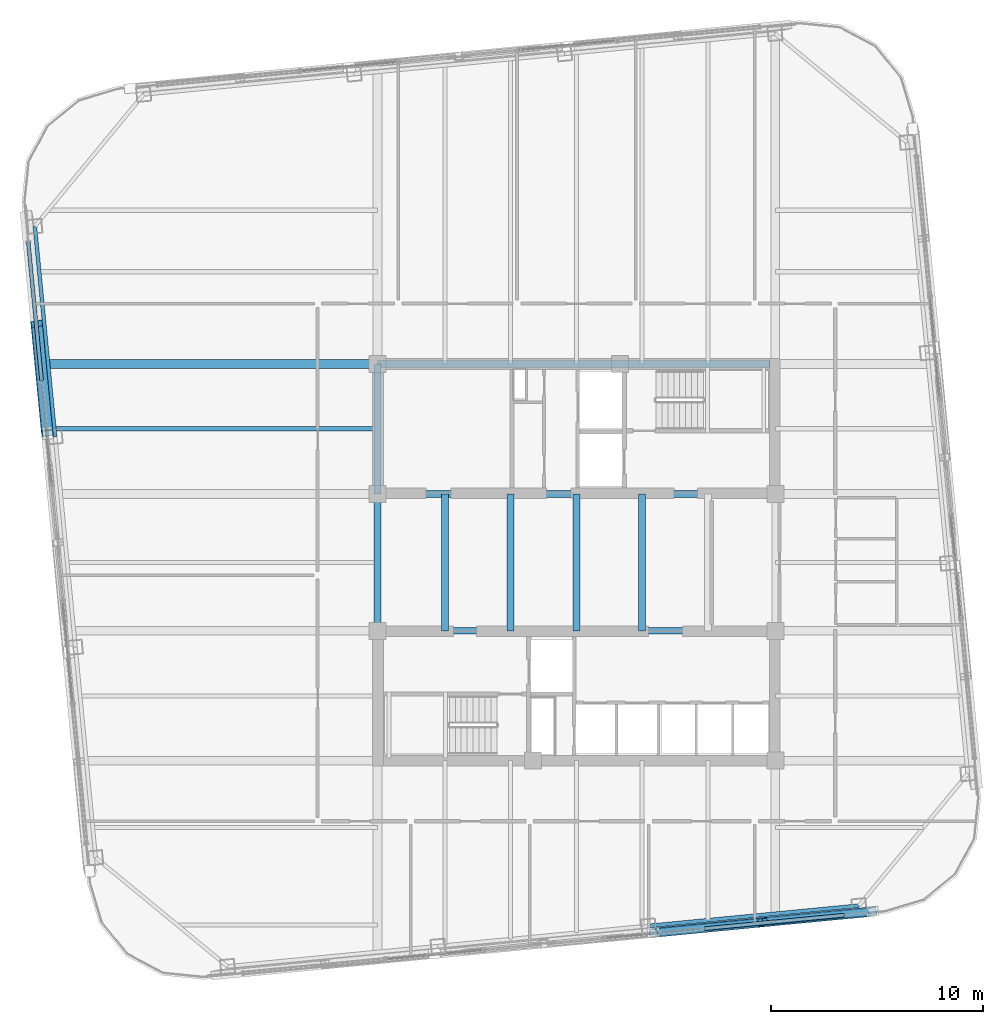
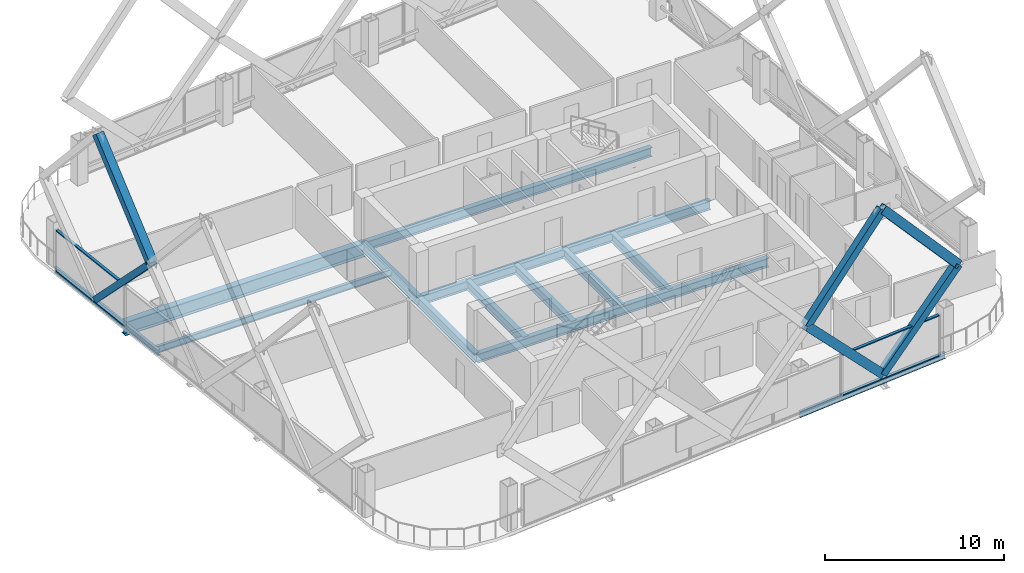
# One storey, part 12 of 34: 13 beams, 10 members, 2 elements without a shape of their own.
"""IFC4 building model written with IfcOpenShell, lengths in metres."""

import ifcopenshell
import ifcopenshell.guid

model = None  # the IFC model being written
_history = None  # IfcOwnerHistory: only IFC2X3 demands one
_inside = {}  # id of a spatial element -> (the spatial element, [elements in it])
_under = {}  # id of a project, library or spatial element -> (it, [spatial elements below it])
_declared = {}  # id of a project -> (the project, [libraries it declares])
_typed = {}  # id of a type object -> (the type object, [elements of that type])
_made_of = {}  # id of a material, layer set ... -> (it, [elements and type objects made of it])


def new_model(schema):
    """Start an empty IFC model of exactly this schema.

    Asked for "IFC4X3", IfcOpenShell would pick the latest addendum, in which some entities
    have other attributes; the version numbers below select the first issue.
    IFC2X3 requires an IfcOwnerHistory on every rooted entity: one is made here for all.
    """
    global model, _history
    if schema == "IFC4X3":
        model = ifcopenshell.file(schema_version=(4, 3, 0, 0))
    else:
        model = ifcopenshell.file(schema=schema)
    _inside.clear()
    _under.clear()
    _declared.clear()
    _typed.clear()
    _made_of.clear()
    _history = None
    if model.schema == "IFC2X3":
        org = make("IfcOrganization", Name="unknown")
        user = make(
            "IfcPersonAndOrganization",
            ThePerson=make("IfcPerson", FamilyName="unknown"),
            TheOrganization=org,
        )
        app = make(
            "IfcApplication",
            ApplicationDeveloper=org,
            Version="unknown",
            ApplicationFullName="unknown",
            ApplicationIdentifier="unknown",
        )
        _history = make(
            "IfcOwnerHistory",
            OwningUser=user,
            OwningApplication=app,
            ChangeAction="ADDED",
            CreationDate=0,
        )
    return model


def make(cls, **values):
    """One entity of the class cls with the attributes given. An attribute that is None is left unset."""
    return model.create_entity(
        cls, **{name: value for name, value in values.items() if value is not None}
    )


def rooted(cls, **values):
    """An entity with a GlobalId (a new one), such as an element, a storey or a relation."""
    return make(cls, GlobalId=ifcopenshell.guid.new(), OwnerHistory=_history, **values)


def si_unit(unit_type, name, prefix=None):
    """IfcSIUnit, for example si_unit("LENGTHUNIT", "METRE", prefix="MILLI")."""
    return make("IfcSIUnit", UnitType=unit_type, Prefix=prefix, Name=name)


def assignment(units):
    """IfcUnitAssignment: the units of a project."""
    return None if units is None else make("IfcUnitAssignment", Units=units)


def point(xyz):
    """IfcCartesianPoint."""
    return None if xyz is None else make("IfcCartesianPoint", Coordinates=xyz)


def direction(xyz):
    """IfcDirection."""
    return None if xyz is None else make("IfcDirection", DirectionRatios=xyz)


def frame(location, z_axis=None, x_axis=None):
    """IfcAxis2Placement3D, a coordinate frame: its origin and axes. An axis left out is left unset."""
    return make(
        "IfcAxis2Placement3D",
        Location=point(location),
        Axis=direction(z_axis),
        RefDirection=direction(x_axis),
    )


def frame_2d(location, x_axis=None):
    """IfcAxis2Placement2D, a coordinate frame in the plane: its origin and x axis."""
    return make(
        "IfcAxis2Placement2D", Location=point(location), RefDirection=direction(x_axis)
    )


def origin():
    """The frame at (0, 0, 0) with its axes left unset."""
    return frame((0.0, 0.0, 0.0))


def origin_2d():
    """The frame at (0, 0) in the plane with its x axis left unset."""
    return frame_2d((0.0, 0.0))


def place(relative_to, where):
    """IfcLocalPlacement: puts the frame where relative to a parent placement (None: the world)."""
    return make(
        "IfcLocalPlacement", PlacementRelTo=relative_to, RelativePlacement=where
    )


def context(
    kind, dimensions, precision=None, world=None, true_north=None, identifier=None
):
    """IfcGeometricRepresentationContext, for example the 3D "Model" context."""
    return make(
        "IfcGeometricRepresentationContext",
        ContextIdentifier=identifier,
        ContextType=kind,
        CoordinateSpaceDimension=dimensions,
        Precision=precision,
        WorldCoordinateSystem=world,
        TrueNorth=true_north,
    )


def subcontext(parent, identifier, kind, view, scale=None):
    """IfcGeometricRepresentationSubContext, for example "Body" below "Model"."""
    return make(
        "IfcGeometricRepresentationSubContext",
        ContextIdentifier=identifier,
        ContextType=kind,
        ParentContext=parent,
        TargetScale=scale,
        TargetView=view,
    )


def project(units=None, contexts=None):
    """IfcProject with its units and contexts."""
    return rooted(
        "IfcProject",
        Name="project",
        RepresentationContexts=contexts,
        UnitsInContext=assignment(units),
    )


def spatial(cls, under=None, at=None, **own):
    """A site, building, storey or space (cls), placed at a placement, below another one or the project."""
    s = rooted(cls, ObjectPlacement=at, **own)
    if under is not None:
        _under.setdefault(under.id(), (under, []))[1].append(s)
    return s


def profile(cls, at=None, kind="AREA", **sizes):
    """A parametric profile (cls). Its sizes go by their IFC names, for example OverallWidth=200.0."""
    return make(cls, ProfileType=kind, Position=at, **sizes)


def hollow_rectangle(**sizes):
    """IfcRectangleHollowProfileDef."""
    return profile("IfcRectangleHollowProfileDef", **sizes)


def i_section(**sizes):
    """IfcIShapeProfileDef."""
    return profile("IfcIShapeProfileDef", **sizes)


def extrude(swept, where, along, depth):
    """IfcExtrudedAreaSolid: the profile swept, set in the frame where, extruded along a direction by depth."""
    return make(
        "IfcExtrudedAreaSolid",
        SweptArea=swept,
        Position=where,
        ExtrudedDirection=direction(along),
        Depth=depth,
    )


def shape(context_of_items, identifier, shape_type, items):
    """IfcShapeRepresentation: the items that make up one representation, for example the "Body"."""
    return make(
        "IfcShapeRepresentation",
        ContextOfItems=context_of_items,
        RepresentationIdentifier=identifier,
        RepresentationType=shape_type,
        Items=items,
    )


def material(Name=None, Category=None):
    """IfcMaterial."""
    return make("IfcMaterial", Name=Name, Category=Category)


def layer(
    of_material, thickness, ventilated=None, Name=None, Category=None, Priority=None
):
    """IfcMaterialLayer: one layer of a wall or slab, of a material (None: an air gap)."""
    return make(
        "IfcMaterialLayer",
        Material=of_material,
        LayerThickness=thickness,
        IsVentilated=ventilated,
        Name=Name,
        Category=Category,
        Priority=Priority,
    )


def layer_set(layers, Name=None):
    """IfcMaterialLayerSet."""
    return make("IfcMaterialLayerSet", MaterialLayers=layers, LayerSetName=Name)


def material_profile(
    of_material, cross_section, Name=None, Category=None, Priority=None
):
    """IfcMaterialProfile: a cross section and its material."""
    return make(
        "IfcMaterialProfile",
        Name=Name,
        Material=of_material,
        Profile=cross_section,
        Priority=Priority,
        Category=Category,
    )


def profile_set(profiles, Name=None, composite=None):
    """IfcMaterialProfileSet."""
    return make(
        "IfcMaterialProfileSet",
        Name=Name,
        MaterialProfiles=profiles,
        CompositeProfile=composite,
    )


def made_of(thing, what):
    """Note that an element or type object is made of a material, layer set ...; save() writes the relation."""
    if what is not None:
        _made_of.setdefault(what.id(), (what, []))[1].append(thing)
    return thing


def type_object(cls, material=None, **own):
    """A type object (cls), such as IfcWallType, which elements share."""
    return made_of(rooted(cls, **own), material)


def element(
    cls,
    number,
    at=None,
    inside=None,
    cuts=None,
    type_object=None,
    material=None,
    context=None,
    identifier="Body",
    shape_type=None,
    held_by="IfcProductDefinitionShape",
    body=None,
    shapes=None,
    **own,
):
    """One element of the class cls, such as IfcWall. Its Tag is "e" and its number.

    at: its placement. inside: the storey or other place that contains it. cuts: it is an
    opening in that element (IfcRelVoidsElement). A single representation is given by context,
    identifier, shape_type and body (its items); several are given by shapes. held_by: the class
    of the entity that holds the representations. save() writes the other relations.
    """
    e = rooted(cls, Tag="e%d" % number, ObjectPlacement=at, **own)
    if body is not None:
        shapes = [shape(context, identifier, shape_type, body)]
    if shapes is not None:
        e.Representation = make(held_by, Representations=shapes)
    if inside is not None:
        _inside.setdefault(inside.id(), (inside, []))[1].append(e)
    if cuts is not None:
        rooted(
            "IfcRelVoidsElement", RelatingBuildingElement=cuts, RelatedOpeningElement=e
        )
    if type_object is not None:
        _typed.setdefault(type_object.id(), (type_object, []))[1].append(e)
    return made_of(e, material)


def aggregate(whole, parts):
    """IfcRelAggregates: a whole, such as a stair, and the parts it consists of."""
    return rooted("IfcRelAggregates", RelatingObject=whole, RelatedObjects=parts)


def save(model, path):
    """Write the relations noted so far, then the file.

    IfcRelAggregates (storeys below a building ...), IfcRelContainedInSpatialStructure (elements
    in a storey), IfcRelDefinesByType, IfcRelAssociatesMaterial and IfcRelDeclares: one each for
    every whole, place, type object, material and project.
    """
    for whole, parts in _under.values():
        aggregate(whole, parts)
    for where, things in _inside.values():
        rooted(
            "IfcRelContainedInSpatialStructure",
            RelatedElements=things,
            RelatingStructure=where,
        )
    for kind, things in _typed.values():
        rooted("IfcRelDefinesByType", RelatedObjects=things, RelatingType=kind)
    for what, things in _made_of.values():
        rooted("IfcRelAssociatesMaterial", RelatedObjects=things, RelatingMaterial=what)
    for by, libraries in _declared.values():
        rooted("IfcRelDeclares", RelatingContext=by, RelatedDefinitions=libraries)
    model.write(path)


model = new_model("IFC4")

# Units and contexts
model_context = context("Model", 3, precision=1e-05, world=origin(), true_north=direction((0.0, 1.0)))
body_context = subcontext(model_context, "Body", "Model", "MODEL_VIEW")
ifc_project = project(units=[si_unit("LENGTHUNIT", "METRE"), si_unit("AREAUNIT", "SQUARE_METRE"), si_unit("VOLUMEUNIT", "CUBIC_METRE"), si_unit("PLANEANGLEUNIT", "RADIAN"), si_unit("MASSUNIT", "GRAM", prefix="KILO")], contexts=[model_context])

# Site, building, storey
site_placement = place(None, origin())
site = spatial("IfcSite", under=ifc_project, at=site_placement, CompositionType="ELEMENT")
building_placement = place(site_placement, origin())
building = spatial("IfcBuilding", under=site, at=building_placement, Name="Qhalaya Broadcast Tower", CompositionType="ELEMENT")
storey_placement = place(building_placement, frame((0.0, 0.0, 168.35009765625)))
storey = spatial("IfcBuildingStorey", under=building, at=storey_placement, Name="L49", CompositionType="ELEMENT", Elevation=168.35009765625)

# Beams
ifc_material_1 = material(Name="Structural Steel ASTM A992 Grade 50", Category="steel")
ifc_material_profile_1 = material_profile(ifc_material_1, i_section(OverallWidth=0.19189453125, OverallDepth=0.462890625, WebThickness=0.010498046875, FlangeThickness=0.017578125, at=origin_2d()), Name="W18X60")
ifc_profile_set_1 = profile_set([ifc_material_profile_1], Name="Structural Steel ASTM A992 Grade 50")
beam_type_1 = type_object("IfcBeamType", Name="Composite Floor Joist J03", PredefinedType="JOIST", material=ifc_profile_set_1)
beam_1_placement = place(storey_placement, frame((-24.589111328125, 6.89990234375, -0.45166015625), z_axis=(1.0, 0.0, 0.0), x_axis=(0.0, 1.0, 0.0)))
element("IfcBeam", 1, at=beam_1_placement, inside=storey, type_object=beam_type_1, Name="L49 J03 L49-JWE5W-1", PredefinedType="JOIST", context=body_context, shape_type="SweptSolid", body=[
    extrude(i_section(OverallWidth=0.19189453125, OverallDepth=0.462890625, WebThickness=0.010498046875, FlangeThickness=0.017578125, at=origin_2d()), origin(), (0.0, 0.0, 1.0), 15.214111328125),
])
ifc_material_profile_2 = material_profile(ifc_material_1, i_section(OverallWidth=0.323974609375, OverallDepth=0.612060546875, WebThickness=0.0126953125, FlangeThickness=0.01904296875, at=origin_2d()), Name="W24X104")
ifc_profile_set_2 = profile_set([ifc_material_profile_2], Name="Structural Steel ASTM A992 Grade 50")
beam_type_2 = type_object("IfcBeamType", Name="Core Frame Tie Beam B04", PredefinedType="BEAM", material=ifc_profile_set_2)
beam_2_placement = place(storey_placement, frame((-9.375, 3.824951171875, -0.526123046875), z_axis=(1.0, 0.0, 0.0), x_axis=(0.0, 1.0, 0.0)))
element("IfcBeam", 2, at=beam_2_placement, inside=storey, type_object=beam_type_2, Name="L49 B04 L49-CCN1", PredefinedType="BEAM", context=body_context, shape_type="SweptSolid", body=[
    extrude(i_section(OverallWidth=0.323974609375, OverallDepth=0.612060546875, WebThickness=0.0126953125, FlangeThickness=0.01904296875, at=origin_2d()), origin(), (0.0, 0.0, 1.0), 18.75),
])
beam_3_placement = place(storey_placement, frame((-9.375, 3.824951171875, -0.526123046875), z_axis=(0.0, 1.0, 0.0), x_axis=(-1.0, 0.0, 0.0)))
element("IfcBeam", 3, at=beam_3_placement, inside=storey, type_object=beam_type_2, Name="L49 B04 L49-CCN2", PredefinedType="BEAM", context=body_context, shape_type="SweptSolid", body=[
    extrude(i_section(OverallWidth=0.323974609375, OverallDepth=0.612060546875, WebThickness=0.0126953125, FlangeThickness=0.01904296875, at=origin_2d()), origin(), (0.0, 0.0, 1.0), 6.125),
])
beam_4_placement = place(storey_placement, frame((-9.375, 9.949951171875, -0.526123046875), z_axis=(1.0, 0.0, 0.0), x_axis=(0.0, 1.0, 0.0)))
element("IfcBeam", 4, at=beam_4_placement, inside=storey, type_object=beam_type_2, Name="L49 B04 L49-CCN3", PredefinedType="BEAM", context=body_context, shape_type="SweptSolid", body=[
    extrude(i_section(OverallWidth=0.323974609375, OverallDepth=0.612060546875, WebThickness=0.0126953125, FlangeThickness=0.01904296875, at=origin_2d()), origin(), (0.0, 0.0, 1.0), 18.4951171875),
])
beam_5_placement = place(storey_placement, frame((-9.375, -2.625, -0.526123046875), z_axis=(1.0, 0.0, 0.0), x_axis=(0.0, 1.0, 0.0)))
element("IfcBeam", 5, at=beam_5_placement, inside=storey, type_object=beam_type_2, Name="L49 B04 L49-CCS1", PredefinedType="BEAM", context=body_context, shape_type="SweptSolid", body=[
    extrude(i_section(OverallWidth=0.323974609375, OverallDepth=0.612060546875, WebThickness=0.0126953125, FlangeThickness=0.01904296875, at=origin_2d()), origin(), (0.0, 0.0, 1.0), 18.75),
])
for number, where, z_axis, x_axis, name in (
    (6, (-9.375, -2.625, -0.526123046875), (0.0, 1.0, 0.0), (-1.0, 0.0, 0.0), "L49 B04 L49-CCW"),
    (7, (-6.199951171875, -2.625, -0.526123046875), (0.0, 1.0, 0.0), (-1.0, 0.0, 0.0), "L49 B04 L49-JC1-1"),
    (8, (-3.10009765625, -2.625, -0.526123046875), (0.0, 1.0, 0.0), (-1.0, 0.0, 0.0), "L49 B04 L49-JC2-1"),
    (9, (0.0, -2.625, -0.526123046875), (0.0, 1.0, 0.0), (-1.0, 0.0, 0.0), "L49 B04 L49-JC3-1"),
    (10, (3.10009765625, -2.625, -0.526123046875), (0.0, 1.0, 0.0), (-1.0, 0.0, 0.0), "L49 B04 L49-JC4-1"),
):
    element("IfcBeam", number, at=place(storey_placement, frame(where, z_axis=z_axis, x_axis=x_axis)), inside=storey, type_object=beam_type_2, Name=name, PredefinedType="BEAM", context=body_context, shape_type="SweptSolid", body=[
        extrude(i_section(OverallWidth=0.323974609375, OverallDepth=0.612060546875, WebThickness=0.0126953125, FlangeThickness=0.01904296875, at=origin_2d()), origin(), (0.0, 0.0, 1.0), 6.449951171875),
    ])

# Members
ifc_material_2 = material(Name="Structural Steel ASTM A572 Grade 50", Category="steel")
ifc_material_profile_3 = material_profile(ifc_material_2, hollow_rectangle(XDim=0.39990234375, YDim=0.550048828125, WallThickness=0.02490234375, at=origin_2d()), Name="BOX 400x550x25")
ifc_profile_set_3 = profile_set([ifc_material_profile_3], Name="Structural Steel ASTM A572 Grade 50")
member_type_1 = type_object("IfcMemberType", Name="Exoskeleton Diamond Diagonal Mid-High EX3", PredefinedType="BRACE", material=ifc_profile_set_3)
for number, where, z_axis, x_axis, name in (
    (11, (8.790771484375, -16.35986328125, 0.35986328125), (-0.690615647814, -0.066502760768, 0.72015790616), (0.164116501784, -0.984196976573, 0.066498760488), "B4 Exoskeleton Diamond Brace S3-D1"),
    (12, (8.790771484375, -16.35986328125, 0.35986328125), (0.690615647814, 0.066502760768, 0.72015790616), (-0.164116501784, 0.984196976573, 0.066498760488), "B4 Exoskeleton Diamond Brace S3-D2"),
):
    element("IfcMember", number, at=place(storey_placement, frame(where, z_axis=z_axis, x_axis=x_axis)), inside=storey, type_object=member_type_1, Name=name, PredefinedType="BRACE", context=body_context, shape_type="SweptSolid", body=[
        extrude(hollow_rectangle(XDim=0.39990234375, YDim=0.550048828125, WallThickness=0.02490234375, at=origin_2d()), origin(), (0.0, 0.0, 1.0), 7.470703125),
    ])
for number, where, z_axis, x_axis, name in (
    (13, (3.63134765625, -16.856689453125, 5.739990234375), (0.659492058015, 0.063505717979, 0.749024198007), (-0.166870474322, 0.983931783079, 0.063501897979), "B4 Exoskeleton Diamond Brace S3-D3"),
    (14, (13.9501953125, -15.863037109375, 5.739990234375), (-0.659492058015, -0.063505717979, 0.749024198007), (0.166870474322, -0.983931783079, 0.063501897979), "B4 Exoskeleton Diamond Brace S3-D4"),
):
    element("IfcMember", number, at=place(storey_placement, frame(where, z_axis=z_axis, x_axis=x_axis)), inside=storey, type_object=member_type_1, Name=name, PredefinedType="BRACE", context=body_context, shape_type="SweptSolid", body=[
        extrude(hollow_rectangle(XDim=0.39990234375, YDim=0.550048828125, WallThickness=0.02490234375, at=origin_2d()), origin(), (0.0, 0.0, 1.0), 7.8232421875),
    ])
member_1_placement = place(storey_placement, frame((-25.427001953125, 11.84716796875, 0.35986328125), z_axis=(0.066502760768, -0.690615647814, 0.72015790616), x_axis=(-0.164114880845, 0.704354882738, 0.690616033009)))
element("IfcMember", 15, at=member_1_placement, inside=storey, type_object=member_type_1, Name="B4 Exoskeleton Diamond Brace W1-D2", PredefinedType="BRACE", context=body_context, shape_type="SweptSolid", body=[
    extrude(hollow_rectangle(XDim=0.39990234375, YDim=0.550048828125, WallThickness=0.02490234375, at=origin_2d()), origin(), (0.0, 0.0, 1.0), 7.470703125),
])
member_2_placement = place(storey_placement, frame((-24.93017578125, 6.687744140625, 5.739990234375), z_axis=(-0.063505717979, 0.659492058015, 0.749024198007), x_axis=(0.166869020586, -0.73295598109, 0.65949242585)))
element("IfcMember", 16, at=member_2_placement, inside=storey, type_object=member_type_1, Name="B4 Exoskeleton Diamond Brace W1-D4", PredefinedType="BRACE", context=body_context, shape_type="SweptSolid", body=[
    extrude(hollow_rectangle(XDim=0.39990234375, YDim=0.550048828125, WallThickness=0.02490234375, at=origin_2d()), origin(), (0.0, 0.0, 1.0), 7.8232421875),
])

# Beam
ifc_material_profile_4 = material_profile(ifc_material_1, i_section(OverallWidth=0.4189453125, OverallDepth=0.927001953125, WebThickness=0.019287109375, FlangeThickness=0.031982421875, at=origin_2d()), Name="W36X231")
ifc_profile_set_4 = profile_set([ifc_material_profile_4], Name="Structural Steel ASTM A992 Grade 50")
beam_type_3 = type_object("IfcBeamType", Name="Mid Block Primary Girder PG3", PredefinedType="USERDEFINED", material=ifc_profile_set_4)
beam_6_placement = place(storey_placement, frame((-24.882568359375, 9.949951171875, -0.68359375), z_axis=(1.0, 0.0, 0.0), x_axis=(0.0, 1.0, 0.0)))
element("IfcBeam", 17, at=beam_6_placement, inside=storey, type_object=beam_type_3, Name="L49 PG3 L49-PGYW4-1", ObjectType="GIRDER", PredefinedType="USERDEFINED", context=body_context, shape_type="SweptSolid", body=[
    extrude(i_section(OverallWidth=0.4189453125, OverallDepth=0.927001953125, WebThickness=0.019287109375, FlangeThickness=0.031982421875, at=origin_2d()), origin(), (0.0, 0.0, 1.0), 15.507568359375),
])

# Curtain wall, members
ifc_material_3 = material(Name="Fired Architectural Terracotta", Category="masonry")
ifc_layer = layer(ifc_material_3, 0.219970703125, Name="Fired Architectural Terracotta")
ifc_layer_set = layer_set([ifc_layer], Name="Fired Architectural Terracotta")
curtain_wall_type = type_object("IfcCurtainWallType", Name="Block-Cap Unitised Terracotta Spandrel Wall CW-07", PredefinedType="NOTDEFINED", material=ifc_layer_set)
curtain_wall_1_placement = place(storey_placement, origin())
curtain_wall_1 = element("IfcCurtainWall", 18, at=curtain_wall_1_placement, inside=storey, type_object=curtain_wall_type, Name="L49 Unitised Curtain Wall L49-CW-S5", PredefinedType="NOTDEFINED")
ifc_material_4 = material(Name="Anodised Aluminium 6063-T6", Category="aluminium")
ifc_material_profile_5 = material_profile(ifc_material_4, hollow_rectangle(XDim=0.074951171875, YDim=0.179931640625, WallThickness=0.00390625, at=origin_2d()), Name="ALU-TRN 75x180x4")
ifc_profile_set_5 = profile_set([ifc_material_profile_5], Name="Anodised Aluminium 6063-T6")
member_type_2 = type_object("IfcMemberType", Name="Unitised Curtain-Wall Transom T01", PredefinedType="USERDEFINED", material=ifc_profile_set_5)
member_3_placement = place(storey_placement, frame((6.03564453125, -16.665283203125, 0.037353515625), z_axis=(0.995395796291, 0.09584992815, 0.0), x_axis=(0.0, 0.0, 1.0)))
member_3 = element("IfcMember", 19, at=member_3_placement, type_object=member_type_2, Name="CW-07 transom 1.1", ObjectType="TRANSOM", PredefinedType="USERDEFINED", context=body_context, shape_type="SweptSolid", body=[
    extrude(hollow_rectangle(XDim=0.074951171875, YDim=0.179931640625, WallThickness=0.00390625, at=origin_2d()), origin(), (0.0, 0.0, 1.0), 6.630126953125),
])
member_4_placement = place(storey_placement, frame((6.03564453125, -16.665283203125, 2.79248046875), z_axis=(0.995395796291, 0.09584992815, 0.0), x_axis=(0.0, 0.0, 1.0)))
member_4 = element("IfcMember", 20, at=member_4_placement, type_object=member_type_2, Name="CW-07 transom 1.2", ObjectType="TRANSOM", PredefinedType="USERDEFINED", context=body_context, shape_type="SweptSolid", body=[
    extrude(hollow_rectangle(XDim=0.074951171875, YDim=0.179931640625, WallThickness=0.00390625, at=origin_2d()), origin(), (0.0, 0.0, 1.0), 6.630126953125),
])
aggregate(curtain_wall_1, [member_3, member_4])

curtain_wall_2_placement = place(storey_placement, origin())
curtain_wall_2 = element("IfcCurtainWall", 21, at=curtain_wall_2_placement, inside=storey, type_object=curtain_wall_type, Name="L49 Unitised Curtain Wall L49-CW-W1", PredefinedType="NOTDEFINED")
member_5_placement = place(storey_placement, frame((-25.836669921875, 15.683837890625, 0.037353515625), z_axis=(0.09584906286, -0.995395879612, 0.0), x_axis=(0.0, 0.0, 1.0)))
member_5 = element("IfcMember", 22, at=member_5_placement, type_object=member_type_2, Name="CW-07 transom 1.1", ObjectType="TRANSOM", PredefinedType="USERDEFINED", context=body_context, shape_type="SweptSolid", body=[
    extrude(hollow_rectangle(XDim=0.074951171875, YDim=0.179931640625, WallThickness=0.00390625, at=origin_2d()), origin(), (0.0, 0.0, 1.0), 6.535888671875),
])
member_6_placement = place(storey_placement, frame((-25.836669921875, 15.683837890625, 2.79248046875), z_axis=(0.09584906286, -0.995395879612, 0.0), x_axis=(0.0, 0.0, 1.0)))
member_6 = element("IfcMember", 23, at=member_6_placement, type_object=member_type_2, Name="CW-07 transom 1.2", ObjectType="TRANSOM", PredefinedType="USERDEFINED", context=body_context, shape_type="SweptSolid", body=[
    extrude(hollow_rectangle(XDim=0.074951171875, YDim=0.179931640625, WallThickness=0.00390625, at=origin_2d()), origin(), (0.0, 0.0, 1.0), 6.535888671875),
])
aggregate(curtain_wall_2, [member_5, member_6])

# Beams
ifc_material_profile_6 = material_profile(ifc_material_1, i_section(OverallWidth=0.177978515625, OverallDepth=0.406005859375, WebThickness=0.0078125, FlangeThickness=0.0126953125, at=origin_2d()), Name="W16X40")
ifc_profile_set_6 = profile_set([ifc_material_profile_6], Name="Structural Steel ASTM A992 Grade 50")
beam_type_4 = type_object("IfcBeamType", Name="Upper Perimeter Spandrel Beam SP2", PredefinedType="SPANDREL", material=ifc_profile_set_6)
for number, where, z_axis, x_axis, name in (
    (24, (3.399658203125, -16.537353515625, -0.423095703125), (0.995395510024, 0.095852900965, 0.0), (-0.095852900965, 0.995395510024, 0.0), "L49 SP2 L49-SPR-03"),
    (25, (-25.52783203125, 16.44189453125, -0.423095703125), (0.095852900965, -0.995395510024, 0.0), (0.995395510024, 0.095852900965, 0.0), "L49 SP2 L49-SPR-13"),
):
    element("IfcBeam", number, at=place(storey_placement, frame(where, z_axis=z_axis, x_axis=x_axis)), inside=storey, type_object=beam_type_4, Name=name, PredefinedType="SPANDREL", context=body_context, shape_type="SweptSolid", body=[
        extrude(i_section(OverallWidth=0.177978515625, OverallDepth=0.406005859375, WebThickness=0.0078125, FlangeThickness=0.0126953125, at=origin_2d()), origin(), (0.0, 0.0, 1.0), 9.966552734375),
    ])

save(model, "model.ifc")
